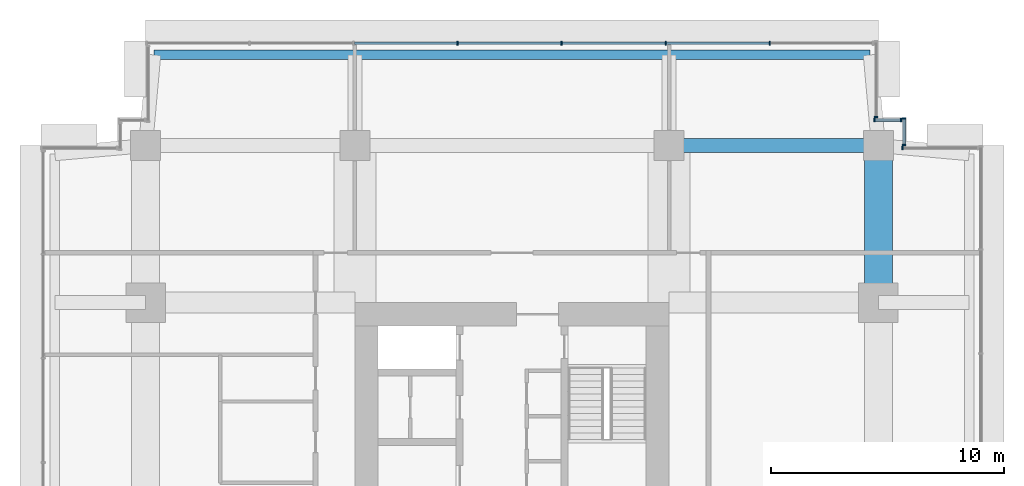
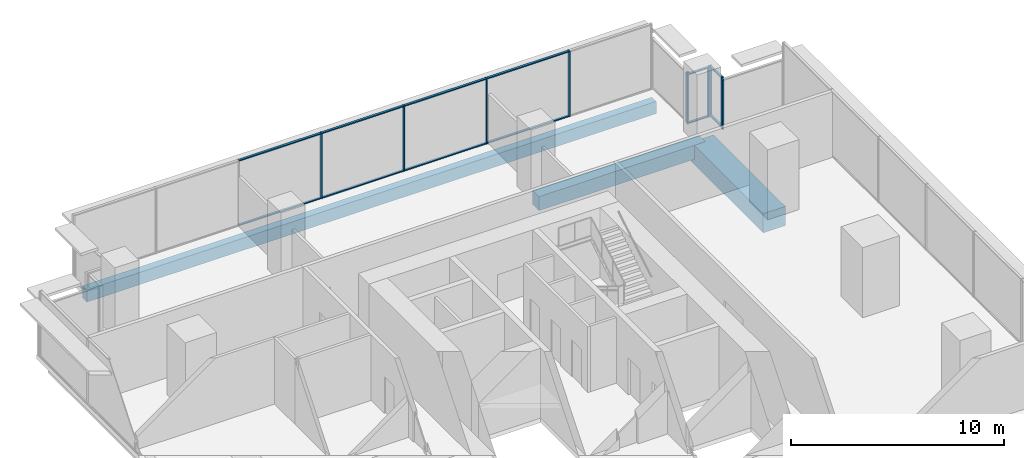
# One storey, part 8 of 13: 22 members, 3 beams, 5 elements without a shape of their own.
"""IFC4 building model written with IfcOpenShell, lengths in metres."""

from ifc_helpers import new_model, si_unit, direction, frame, origin, origin_2d, place, context, subcontext, project, spatial, rectangle, extrude, material, layer, layer_set, material_profile, profile_set, type_object, element, aggregate, save


model = new_model("IFC4")

# Units and contexts
model_context = context("Model", 3, precision=1e-05, world=origin(), true_north=direction((0.0, 1.0)))
body_context = subcontext(model_context, "Body", "Model", "MODEL_VIEW")
ifc_project = project(units=[si_unit("LENGTHUNIT", "METRE"), si_unit("AREAUNIT", "SQUARE_METRE"), si_unit("VOLUMEUNIT", "CUBIC_METRE"), si_unit("PLANEANGLEUNIT", "RADIAN"), si_unit("MASSUNIT", "GRAM", prefix="KILO")], contexts=[model_context])

# Site, building, storey
site_placement = place(None, origin())
site = spatial("IfcSite", under=ifc_project, at=site_placement, CompositionType="ELEMENT")
building_placement = place(site_placement, origin())
building = spatial("IfcBuilding", under=site, at=building_placement, Name="Namib Vertical Campus", CompositionType="ELEMENT")
storey_placement = place(building_placement, frame((0.0, 0.0, 293.0)))
storey = spatial("IfcBuildingStorey", under=building, at=storey_placement, Name="L69", CompositionType="ELEMENT", Elevation=293.0)

# Curtain wall, member
ifc_material_1 = material(Name="Black aluminium curtain wall", Category="aluminium")
ifc_layer = layer(ifc_material_1, 0.199951171875)
ifc_layer_set = layer_set([ifc_layer], Name="Sky lounge curtain wall CW-SL")
curtain_wall_type = type_object("IfcCurtainWallType", Name="Sky lounge curtain wall CW-SL", PredefinedType="USERDEFINED", material=ifc_layer_set)
curtain_wall_1_placement = place(storey_placement, origin())
curtain_wall_1 = element("IfcCurtainWall", 1, at=curtain_wall_1_placement, inside=storey, type_object=curtain_wall_type, Name="Curtain wall CW-SL L69 F07-1", ObjectType="CURTAIN WALL", PredefinedType="USERDEFINED")
ifc_material_2 = material(Name="Black anodised aluminium", Category="aluminium")
ifc_material_profile_1 = material_profile(ifc_material_2, rectangle(XDim=0.06005859375, YDim=0.159912109375, at=origin_2d()))
ifc_profile_set_1 = profile_set([ifc_material_profile_1], Name="Black anodised aluminium")
member_type_1 = type_object("IfcMemberType", Name="Curtain wall mullion 60x160", PredefinedType="MULLION", material=ifc_profile_set_1)
member_1_placement = place(storey_placement, frame((37.030029296875, 35.89990234375, 0.0), z_axis=(0.0, 0.0, 1.0), x_axis=(-1.0, 0.0, 0.0)))
member_1 = element("IfcMember", 2, at=member_1_placement, type_object=member_type_1, Name="CW-SL mullion 2", PredefinedType="MULLION", context=body_context, shape_type="SweptSolid", body=[
    extrude(rectangle(XDim=0.06005859375, YDim=0.159912109375, at=origin_2d()), origin(), (0.0, 0.0, 1.0), 2.85009765625),
])
aggregate(curtain_wall_1, [member_1])

# Curtain wall, members
curtain_wall_2_placement = place(storey_placement, origin())
curtain_wall_2 = element("IfcCurtainWall", 3, at=curtain_wall_2_placement, inside=storey, type_object=curtain_wall_type, Name="Curtain wall CW-SL L69 F08-1", ObjectType="CURTAIN WALL", PredefinedType="USERDEFINED")
member_2_placement = place(storey_placement, frame((37.10009765625, 36.030029296875, 0.0), z_axis=(0.0, 0.0, 1.0), x_axis=(0.0, 1.0, 0.0)))
member_2 = element("IfcMember", 4, at=member_2_placement, type_object=member_type_1, Name="CW-SL mullion 1", PredefinedType="MULLION", context=body_context, shape_type="SweptSolid", body=[
    extrude(rectangle(XDim=0.06005859375, YDim=0.159912109375, at=origin_2d()), origin(), (0.0, 0.0, 1.0), 2.85009765625),
])
member_3_placement = place(storey_placement, frame((37.10009765625, 37.169921875, 0.0), z_axis=(0.0, 0.0, 1.0), x_axis=(0.0, 1.0, 0.0)))
member_3 = element("IfcMember", 5, at=member_3_placement, type_object=member_type_1, Name="CW-SL mullion 2", PredefinedType="MULLION", context=body_context, shape_type="SweptSolid", body=[
    extrude(rectangle(XDim=0.06005859375, YDim=0.159912109375, at=origin_2d()), origin(), (0.0, 0.0, 1.0), 2.85009765625),
])

curtain_wall_3_placement = place(storey_placement, origin())
curtain_wall_3 = element("IfcCurtainWall", 6, at=curtain_wall_3_placement, inside=storey, type_object=curtain_wall_type, Name="Curtain wall CW-SL L69 F09-1", ObjectType="CURTAIN WALL", PredefinedType="USERDEFINED")
member_4_placement = place(storey_placement, frame((36.969970703125, 37.10009765625, 0.0), z_axis=(0.0, 0.0, 1.0), x_axis=(-1.0, 0.0, 0.0)))
member_4 = element("IfcMember", 7, at=member_4_placement, type_object=member_type_1, Name="CW-SL mullion 1", PredefinedType="MULLION", context=body_context, shape_type="SweptSolid", body=[
    extrude(rectangle(XDim=0.06005859375, YDim=0.159912109375, at=origin_2d()), origin(), (0.0, 0.0, 1.0), 2.85009765625),
])
member_5_placement = place(storey_placement, frame((35.830078125, 37.10009765625, 0.0), z_axis=(0.0, 0.0, 1.0), x_axis=(-1.0, 0.0, 0.0)))
member_5 = element("IfcMember", 8, at=member_5_placement, type_object=member_type_1, Name="CW-SL mullion 2", PredefinedType="MULLION", context=body_context, shape_type="SweptSolid", body=[
    extrude(rectangle(XDim=0.06005859375, YDim=0.159912109375, at=origin_2d()), origin(), (0.0, 0.0, 1.0), 2.85009765625),
])

# Curtain wall, member
curtain_wall_4_placement = place(storey_placement, origin())
curtain_wall_4 = element("IfcCurtainWall", 9, at=curtain_wall_4_placement, inside=storey, type_object=curtain_wall_type, Name="Curtain wall CW-SL L69 F10-1", ObjectType="CURTAIN WALL", PredefinedType="USERDEFINED")
member_6_placement = place(storey_placement, frame((35.89990234375, 37.22998046875, 0.0), z_axis=(0.0, 0.0, 1.0), x_axis=(0.0, 1.0, 0.0)))
member_6 = element("IfcMember", 10, at=member_6_placement, type_object=member_type_1, Name="CW-SL mullion 1", PredefinedType="MULLION", context=body_context, shape_type="SweptSolid", body=[
    extrude(rectangle(XDim=0.06005859375, YDim=0.159912109375, at=origin_2d()), origin(), (0.0, 0.0, 1.0), 2.85009765625),
])
aggregate(curtain_wall_4, [member_6])

# Curtain wall, members
curtain_wall_5_placement = place(storey_placement, origin())
curtain_wall_5 = element("IfcCurtainWall", 11, at=curtain_wall_5_placement, inside=storey, type_object=curtain_wall_type, Name="Curtain wall CW-SL L69 F11-1", ObjectType="CURTAIN WALL", PredefinedType="USERDEFINED")
member_7_placement = place(storey_placement, frame((31.32861328125, 40.39990234375, 0.0), z_axis=(0.0, 0.0, 1.0), x_axis=(-1.0, 0.0, 0.0)))
member_7 = element("IfcMember", 12, at=member_7_placement, type_object=member_type_1, Name="CW-SL mullion 2", PredefinedType="MULLION", context=body_context, shape_type="SweptSolid", body=[
    extrude(rectangle(XDim=0.06005859375, YDim=0.159912109375, at=origin_2d()), origin(), (0.0, 0.0, 1.0), 3.75),
])
member_8_placement = place(storey_placement, frame((26.857177734375, 40.39990234375, 0.0), z_axis=(0.0, 0.0, 1.0), x_axis=(-1.0, 0.0, 0.0)))
member_8 = element("IfcMember", 13, at=member_8_placement, type_object=member_type_1, Name="CW-SL mullion 3", PredefinedType="MULLION", context=body_context, shape_type="SweptSolid", body=[
    extrude(rectangle(XDim=0.06005859375, YDim=0.159912109375, at=origin_2d()), origin(), (0.0, 0.0, 1.0), 3.75),
])
member_9_placement = place(storey_placement, frame((22.3857421875, 40.39990234375, 0.0), z_axis=(0.0, 0.0, 1.0), x_axis=(-1.0, 0.0, 0.0)))
member_9 = element("IfcMember", 14, at=member_9_placement, type_object=member_type_1, Name="CW-SL mullion 4", PredefinedType="MULLION", context=body_context, shape_type="SweptSolid", body=[
    extrude(rectangle(XDim=0.06005859375, YDim=0.159912109375, at=origin_2d()), origin(), (0.0, 0.0, 1.0), 3.75),
])
member_10_placement = place(storey_placement, frame((17.914306640625, 40.39990234375, 0.0), z_axis=(0.0, 0.0, 1.0), x_axis=(-1.0, 0.0, 0.0)))
member_10 = element("IfcMember", 15, at=member_10_placement, type_object=member_type_1, Name="CW-SL mullion 5", PredefinedType="MULLION", context=body_context, shape_type="SweptSolid", body=[
    extrude(rectangle(XDim=0.06005859375, YDim=0.159912109375, at=origin_2d()), origin(), (0.0, 0.0, 1.0), 3.75),
])

# Member
ifc_material_3 = material(Name="Black anodised aluminium", Category="aluminium")
ifc_material_profile_2 = material_profile(ifc_material_3, rectangle(XDim=0.06005859375, YDim=0.1201171875, at=origin_2d()))
ifc_profile_set_2 = profile_set([ifc_material_profile_2], Name="Black anodised aluminium")
member_type_2 = type_object("IfcMemberType", Name="Curtain wall transom 60x120", PredefinedType="USERDEFINED", material=ifc_profile_set_2)
member_11_placement = place(storey_placement, frame((37.10009765625, 36.06005859375, 0.030029296875), z_axis=(0.0, 1.0, 0.0), x_axis=(0.0, 0.0, 1.0)))
member_11 = element("IfcMember", 16, at=member_11_placement, type_object=member_type_2, Name="CW-SL transom 1.1", ObjectType="TRANSOM", PredefinedType="USERDEFINED", context=body_context, shape_type="SweptSolid", body=[
    extrude(rectangle(XDim=0.06005859375, YDim=0.1201171875, at=origin_2d()), origin(), (0.0, 0.0, 1.0), 1.079833984375),
])

member_12_placement = place(storey_placement, frame((37.10009765625, 36.06005859375, 2.820068359375), z_axis=(0.0, 1.0, 0.0), x_axis=(0.0, 0.0, 1.0)))
member_12 = element("IfcMember", 17, at=member_12_placement, type_object=member_type_2, Name="CW-SL transom 1.2", ObjectType="TRANSOM", PredefinedType="USERDEFINED", context=body_context, shape_type="SweptSolid", body=[
    extrude(rectangle(XDim=0.06005859375, YDim=0.1201171875, at=origin_2d()), origin(), (0.0, 0.0, 1.0), 1.079833984375),
])

aggregate(curtain_wall_2, [member_2, member_3, member_11, member_12])

member_13_placement = place(storey_placement, frame((36.93994140625, 37.10009765625, 0.030029296875), z_axis=(-1.0, 0.0, 0.0), x_axis=(0.0, 0.0, 1.0)))
member_13 = element("IfcMember", 18, at=member_13_placement, type_object=member_type_2, Name="CW-SL transom 1.1", ObjectType="TRANSOM", PredefinedType="USERDEFINED", context=body_context, shape_type="SweptSolid", body=[
    extrude(rectangle(XDim=0.06005859375, YDim=0.1201171875, at=origin_2d()), origin(), (0.0, 0.0, 1.0), 1.079833984375),
])

member_14_placement = place(storey_placement, frame((36.93994140625, 37.10009765625, 2.820068359375), z_axis=(-1.0, 0.0, 0.0), x_axis=(0.0, 0.0, 1.0)))
member_14 = element("IfcMember", 19, at=member_14_placement, type_object=member_type_2, Name="CW-SL transom 1.2", ObjectType="TRANSOM", PredefinedType="USERDEFINED", context=body_context, shape_type="SweptSolid", body=[
    extrude(rectangle(XDim=0.06005859375, YDim=0.1201171875, at=origin_2d()), origin(), (0.0, 0.0, 1.0), 1.079833984375),
])

aggregate(curtain_wall_3, [member_4, member_5, member_13, member_14])

member_15_placement = place(storey_placement, frame((31.298583984375, 40.39990234375, 0.030029296875), z_axis=(-1.0, 0.0, 0.0), x_axis=(0.0, 0.0, 1.0)))
member_15 = element("IfcMember", 20, at=member_15_placement, type_object=member_type_2, Name="CW-SL transom 2.1", ObjectType="TRANSOM", PredefinedType="USERDEFINED", context=body_context, shape_type="SweptSolid", body=[
    extrude(rectangle(XDim=0.06005859375, YDim=0.1201171875, at=origin_2d()), origin(), (0.0, 0.0, 1.0), 4.411376953125),
])

member_16_placement = place(storey_placement, frame((31.298583984375, 40.39990234375, 3.719970703125), z_axis=(-1.0, 0.0, 0.0), x_axis=(0.0, 0.0, 1.0)))
member_16 = element("IfcMember", 21, at=member_16_placement, type_object=member_type_2, Name="CW-SL transom 2.2", ObjectType="TRANSOM", PredefinedType="USERDEFINED", context=body_context, shape_type="SweptSolid", body=[
    extrude(rectangle(XDim=0.06005859375, YDim=0.1201171875, at=origin_2d()), origin(), (0.0, 0.0, 1.0), 4.411376953125),
])

member_17_placement = place(storey_placement, frame((26.8271484375, 40.39990234375, 0.030029296875), z_axis=(-1.0, 0.0, 0.0), x_axis=(0.0, 0.0, 1.0)))
member_17 = element("IfcMember", 22, at=member_17_placement, type_object=member_type_2, Name="CW-SL transom 3.1", ObjectType="TRANSOM", PredefinedType="USERDEFINED", context=body_context, shape_type="SweptSolid", body=[
    extrude(rectangle(XDim=0.06005859375, YDim=0.1201171875, at=origin_2d()), origin(), (0.0, 0.0, 1.0), 4.411376953125),
])

member_18_placement = place(storey_placement, frame((26.8271484375, 40.39990234375, 3.719970703125), z_axis=(-1.0, 0.0, 0.0), x_axis=(0.0, 0.0, 1.0)))
member_18 = element("IfcMember", 23, at=member_18_placement, type_object=member_type_2, Name="CW-SL transom 3.2", ObjectType="TRANSOM", PredefinedType="USERDEFINED", context=body_context, shape_type="SweptSolid", body=[
    extrude(rectangle(XDim=0.06005859375, YDim=0.1201171875, at=origin_2d()), origin(), (0.0, 0.0, 1.0), 4.411376953125),
])

member_19_placement = place(storey_placement, frame((22.355712890625, 40.39990234375, 0.030029296875), z_axis=(-1.0, 0.0, 0.0), x_axis=(0.0, 0.0, 1.0)))
member_19 = element("IfcMember", 24, at=member_19_placement, type_object=member_type_2, Name="CW-SL transom 4.1", ObjectType="TRANSOM", PredefinedType="USERDEFINED", context=body_context, shape_type="SweptSolid", body=[
    extrude(rectangle(XDim=0.06005859375, YDim=0.1201171875, at=origin_2d()), origin(), (0.0, 0.0, 1.0), 4.411376953125),
])

member_20_placement = place(storey_placement, frame((22.355712890625, 40.39990234375, 3.719970703125), z_axis=(-1.0, 0.0, 0.0), x_axis=(0.0, 0.0, 1.0)))
member_20 = element("IfcMember", 25, at=member_20_placement, type_object=member_type_2, Name="CW-SL transom 4.2", ObjectType="TRANSOM", PredefinedType="USERDEFINED", context=body_context, shape_type="SweptSolid", body=[
    extrude(rectangle(XDim=0.06005859375, YDim=0.1201171875, at=origin_2d()), origin(), (0.0, 0.0, 1.0), 4.411376953125),
])

member_21_placement = place(storey_placement, frame((17.88427734375, 40.39990234375, 0.030029296875), z_axis=(-1.0, 0.0, 0.0), x_axis=(0.0, 0.0, 1.0)))
member_21 = element("IfcMember", 26, at=member_21_placement, type_object=member_type_2, Name="CW-SL transom 5.1", ObjectType="TRANSOM", PredefinedType="USERDEFINED", context=body_context, shape_type="SweptSolid", body=[
    extrude(rectangle(XDim=0.06005859375, YDim=0.1201171875, at=origin_2d()), origin(), (0.0, 0.0, 1.0), 4.411376953125),
])

member_22_placement = place(storey_placement, frame((17.88427734375, 40.39990234375, 3.719970703125), z_axis=(-1.0, 0.0, 0.0), x_axis=(0.0, 0.0, 1.0)))
member_22 = element("IfcMember", 27, at=member_22_placement, type_object=member_type_2, Name="CW-SL transom 5.2", ObjectType="TRANSOM", PredefinedType="USERDEFINED", context=body_context, shape_type="SweptSolid", body=[
    extrude(rectangle(XDim=0.06005859375, YDim=0.1201171875, at=origin_2d()), origin(), (0.0, 0.0, 1.0), 4.411376953125),
])

aggregate(curtain_wall_5, [member_7, member_8, member_9, member_10, member_15, member_16, member_17, member_18, member_19, member_20, member_21, member_22])

# Beams
ifc_material_4 = material(Name="Concrete C40/50", Category="concrete")
ifc_material_profile_3 = material_profile(ifc_material_4, rectangle(XDim=0.39990234375, YDim=0.699951171875, at=origin_2d()))
ifc_profile_set_3 = profile_set([ifc_material_profile_3], Name="Concrete C40/50")
beam_type_1 = type_object("IfcBeamType", Name="Edge beam RC 400x700", PredefinedType="SPANDREL", material=ifc_profile_set_3)
beam_1_placement = place(storey_placement, frame((4.85009765625, 39.89990234375, -0.60009765625), z_axis=(1.0, 0.0, 0.0), x_axis=(0.0, 1.0, 0.0)))
element("IfcBeam", 28, at=beam_1_placement, inside=storey, type_object=beam_type_1, Name="Beam B4 L69", PredefinedType="SPANDREL", context=body_context, shape_type="SweptSolid", body=[
    extrude(rectangle(XDim=0.39990234375, YDim=0.699951171875, at=origin_2d()), origin(), (0.0, 0.0, 1.0), 30.7998046875),
])
ifc_material_5 = material(Name="Concrete C40/50", Category="concrete")
ifc_material_profile_4 = material_profile(ifc_material_5, rectangle(XDim=1.199951171875, YDim=1.10009765625, at=origin_2d()))
ifc_profile_set_4 = profile_set([ifc_material_profile_4], Name="Concrete C40/50")
beam_type_2 = type_object("IfcBeamType", Name="Face ring beam RC 1200x1100", PredefinedType="BEAM", material=ifc_profile_set_4)
beam_2_placement = place(storey_placement, frame((36.0, 29.25, -0.800048828125), z_axis=(0.0, 1.0, 0.0), x_axis=(-1.0, 0.0, 0.0)))
element("IfcBeam", 29, at=beam_2_placement, inside=storey, type_object=beam_type_2, Name="Beam B11 L69", PredefinedType="BEAM", context=body_context, shape_type="SweptSolid", body=[
    extrude(rectangle(XDim=1.199951171875, YDim=1.10009765625, at=origin_2d()), origin(), (0.0, 0.0, 1.0), 6.75),
])
ifc_material_6 = material(Name="Concrete C40/50", Category="concrete")
ifc_material_profile_5 = material_profile(ifc_material_6, rectangle(XDim=0.60009765625, YDim=0.800048828125, at=origin_2d()))
ifc_profile_set_5 = profile_set([ifc_material_profile_5], Name="Concrete C40/50")
beam_type_3 = type_object("IfcBeamType", Name="Ring beam RC 600x800", PredefinedType="BEAM", material=ifc_profile_set_5)
beam_3_placement = place(storey_placement, frame((27.0, 36.0, -0.64990234375), z_axis=(1.0, 0.0, 0.0), x_axis=(0.0, 1.0, 0.0)))
element("IfcBeam", 30, at=beam_3_placement, inside=storey, type_object=beam_type_3, Name="Beam B1 L69", PredefinedType="BEAM", context=body_context, shape_type="SweptSolid", body=[
    extrude(rectangle(XDim=0.60009765625, YDim=0.800048828125, at=origin_2d()), origin(), (0.0, 0.0, 1.0), 9.0),
])

save(model, "model.ifc")
